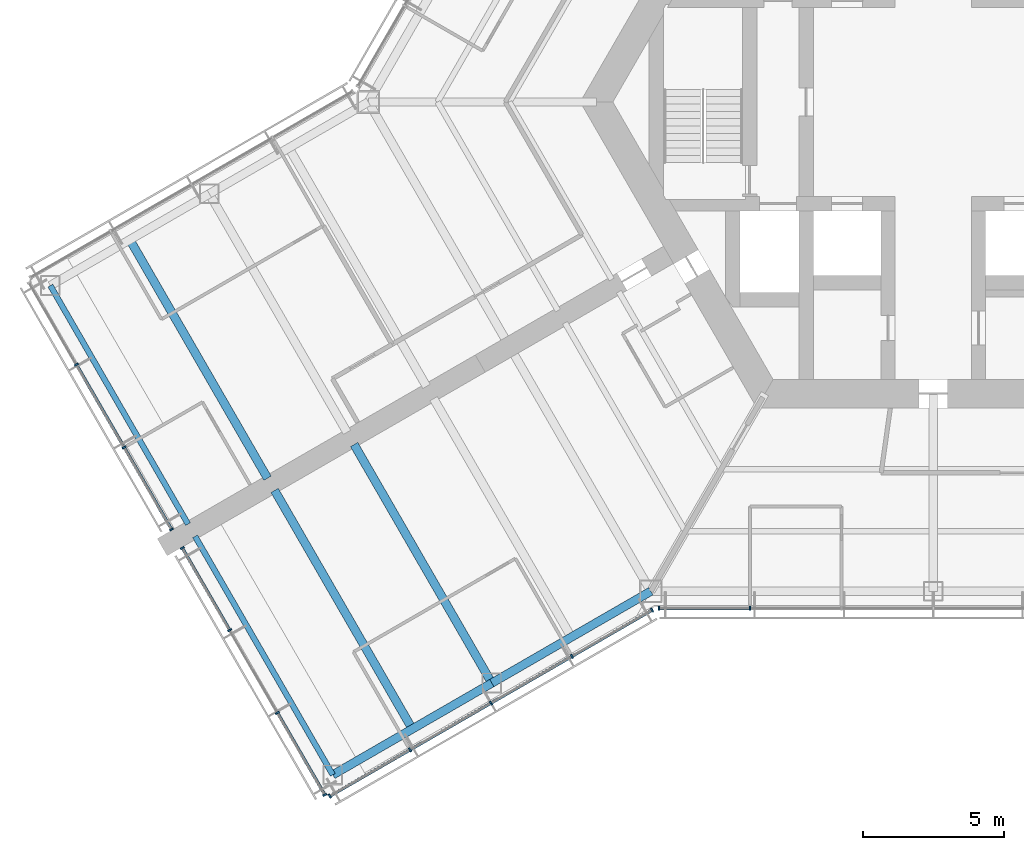
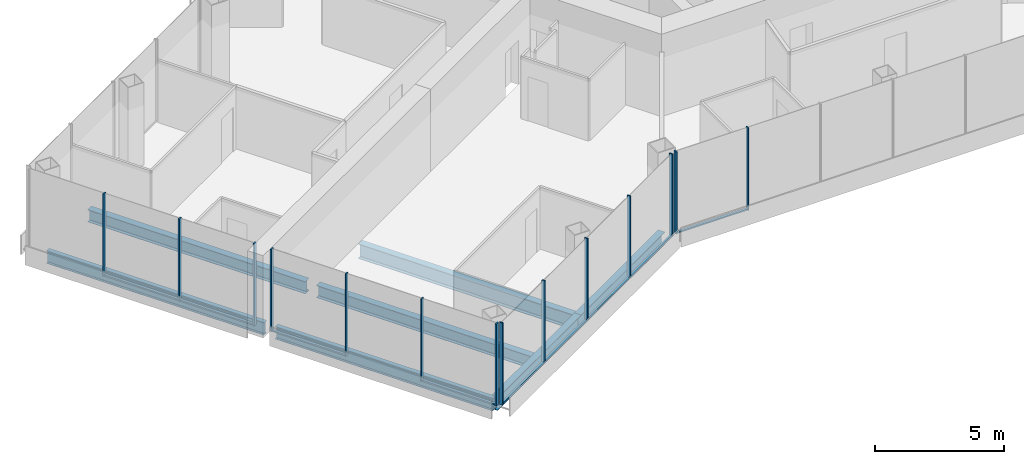
# One storey, part 2 of 18: 23 members, 7 beams, 4 elements without a shape of their own.
"""IFC4 building model written with IfcOpenShell, lengths in metres."""

import ifcopenshell
import ifcopenshell.guid

model = None  # the IFC model being written
_history = None  # IfcOwnerHistory: only IFC2X3 demands one
_inside = {}  # id of a spatial element -> (the spatial element, [elements in it])
_under = {}  # id of a project, library or spatial element -> (it, [spatial elements below it])
_declared = {}  # id of a project -> (the project, [libraries it declares])
_typed = {}  # id of a type object -> (the type object, [elements of that type])
_made_of = {}  # id of a material, layer set ... -> (it, [elements and type objects made of it])


def new_model(schema):
    """Start an empty IFC model of exactly this schema.

    Asked for "IFC4X3", IfcOpenShell would pick the latest addendum, in which some entities
    have other attributes; the version numbers below select the first issue.
    IFC2X3 requires an IfcOwnerHistory on every rooted entity: one is made here for all.
    """
    global model, _history
    if schema == "IFC4X3":
        model = ifcopenshell.file(schema_version=(4, 3, 0, 0))
    else:
        model = ifcopenshell.file(schema=schema)
    _inside.clear()
    _under.clear()
    _declared.clear()
    _typed.clear()
    _made_of.clear()
    _history = None
    if model.schema == "IFC2X3":
        org = make("IfcOrganization", Name="unknown")
        user = make(
            "IfcPersonAndOrganization",
            ThePerson=make("IfcPerson", FamilyName="unknown"),
            TheOrganization=org,
        )
        app = make(
            "IfcApplication",
            ApplicationDeveloper=org,
            Version="unknown",
            ApplicationFullName="unknown",
            ApplicationIdentifier="unknown",
        )
        _history = make(
            "IfcOwnerHistory",
            OwningUser=user,
            OwningApplication=app,
            ChangeAction="ADDED",
            CreationDate=0,
        )
    return model


def make(cls, **values):
    """One entity of the class cls with the attributes given. An attribute that is None is left unset."""
    return model.create_entity(
        cls, **{name: value for name, value in values.items() if value is not None}
    )


def rooted(cls, **values):
    """An entity with a GlobalId (a new one), such as an element, a storey or a relation."""
    return make(cls, GlobalId=ifcopenshell.guid.new(), OwnerHistory=_history, **values)


def si_unit(unit_type, name, prefix=None):
    """IfcSIUnit, for example si_unit("LENGTHUNIT", "METRE", prefix="MILLI")."""
    return make("IfcSIUnit", UnitType=unit_type, Prefix=prefix, Name=name)


def assignment(units):
    """IfcUnitAssignment: the units of a project."""
    return None if units is None else make("IfcUnitAssignment", Units=units)


def point(xyz):
    """IfcCartesianPoint."""
    return None if xyz is None else make("IfcCartesianPoint", Coordinates=xyz)


def direction(xyz):
    """IfcDirection."""
    return None if xyz is None else make("IfcDirection", DirectionRatios=xyz)


def frame(location, z_axis=None, x_axis=None):
    """IfcAxis2Placement3D, a coordinate frame: its origin and axes. An axis left out is left unset."""
    return make(
        "IfcAxis2Placement3D",
        Location=point(location),
        Axis=direction(z_axis),
        RefDirection=direction(x_axis),
    )


def frame_2d(location, x_axis=None):
    """IfcAxis2Placement2D, a coordinate frame in the plane: its origin and x axis."""
    return make(
        "IfcAxis2Placement2D", Location=point(location), RefDirection=direction(x_axis)
    )


def origin():
    """The frame at (0, 0, 0) with its axes left unset."""
    return frame((0.0, 0.0, 0.0))


def origin_2d():
    """The frame at (0, 0) in the plane with its x axis left unset."""
    return frame_2d((0.0, 0.0))


def place(relative_to, where):
    """IfcLocalPlacement: puts the frame where relative to a parent placement (None: the world)."""
    return make(
        "IfcLocalPlacement", PlacementRelTo=relative_to, RelativePlacement=where
    )


def context(
    kind, dimensions, precision=None, world=None, true_north=None, identifier=None
):
    """IfcGeometricRepresentationContext, for example the 3D "Model" context."""
    return make(
        "IfcGeometricRepresentationContext",
        ContextIdentifier=identifier,
        ContextType=kind,
        CoordinateSpaceDimension=dimensions,
        Precision=precision,
        WorldCoordinateSystem=world,
        TrueNorth=true_north,
    )


def subcontext(parent, identifier, kind, view, scale=None):
    """IfcGeometricRepresentationSubContext, for example "Body" below "Model"."""
    return make(
        "IfcGeometricRepresentationSubContext",
        ContextIdentifier=identifier,
        ContextType=kind,
        ParentContext=parent,
        TargetScale=scale,
        TargetView=view,
    )


def project(units=None, contexts=None):
    """IfcProject with its units and contexts."""
    return rooted(
        "IfcProject",
        Name="project",
        RepresentationContexts=contexts,
        UnitsInContext=assignment(units),
    )


def spatial(cls, under=None, at=None, **own):
    """A site, building, storey or space (cls), placed at a placement, below another one or the project."""
    s = rooted(cls, ObjectPlacement=at, **own)
    if under is not None:
        _under.setdefault(under.id(), (under, []))[1].append(s)
    return s


def profile(cls, at=None, kind="AREA", **sizes):
    """A parametric profile (cls). Its sizes go by their IFC names, for example OverallWidth=200.0."""
    return make(cls, ProfileType=kind, Position=at, **sizes)


def rectangle(**sizes):
    """IfcRectangleProfileDef."""
    return profile("IfcRectangleProfileDef", **sizes)


def i_section(**sizes):
    """IfcIShapeProfileDef."""
    return profile("IfcIShapeProfileDef", **sizes)


def extrude(swept, where, along, depth):
    """IfcExtrudedAreaSolid: the profile swept, set in the frame where, extruded along a direction by depth."""
    return make(
        "IfcExtrudedAreaSolid",
        SweptArea=swept,
        Position=where,
        ExtrudedDirection=direction(along),
        Depth=depth,
    )


def shape(context_of_items, identifier, shape_type, items):
    """IfcShapeRepresentation: the items that make up one representation, for example the "Body"."""
    return make(
        "IfcShapeRepresentation",
        ContextOfItems=context_of_items,
        RepresentationIdentifier=identifier,
        RepresentationType=shape_type,
        Items=items,
    )


def material(Name=None, Category=None):
    """IfcMaterial."""
    return make("IfcMaterial", Name=Name, Category=Category)


def material_profile(
    of_material, cross_section, Name=None, Category=None, Priority=None
):
    """IfcMaterialProfile: a cross section and its material."""
    return make(
        "IfcMaterialProfile",
        Name=Name,
        Material=of_material,
        Profile=cross_section,
        Priority=Priority,
        Category=Category,
    )


def profile_set(profiles, Name=None, composite=None):
    """IfcMaterialProfileSet."""
    return make(
        "IfcMaterialProfileSet",
        Name=Name,
        MaterialProfiles=profiles,
        CompositeProfile=composite,
    )


def made_of(thing, what):
    """Note that an element or type object is made of a material, layer set ...; save() writes the relation."""
    if what is not None:
        _made_of.setdefault(what.id(), (what, []))[1].append(thing)
    return thing


def type_object(cls, material=None, **own):
    """A type object (cls), such as IfcWallType, which elements share."""
    return made_of(rooted(cls, **own), material)


def element(
    cls,
    number,
    at=None,
    inside=None,
    cuts=None,
    type_object=None,
    material=None,
    context=None,
    identifier="Body",
    shape_type=None,
    held_by="IfcProductDefinitionShape",
    body=None,
    shapes=None,
    **own,
):
    """One element of the class cls, such as IfcWall. Its Tag is "e" and its number.

    at: its placement. inside: the storey or other place that contains it. cuts: it is an
    opening in that element (IfcRelVoidsElement). A single representation is given by context,
    identifier, shape_type and body (its items); several are given by shapes. held_by: the class
    of the entity that holds the representations. save() writes the other relations.
    """
    e = rooted(cls, Tag="e%d" % number, ObjectPlacement=at, **own)
    if body is not None:
        shapes = [shape(context, identifier, shape_type, body)]
    if shapes is not None:
        e.Representation = make(held_by, Representations=shapes)
    if inside is not None:
        _inside.setdefault(inside.id(), (inside, []))[1].append(e)
    if cuts is not None:
        rooted(
            "IfcRelVoidsElement", RelatingBuildingElement=cuts, RelatedOpeningElement=e
        )
    if type_object is not None:
        _typed.setdefault(type_object.id(), (type_object, []))[1].append(e)
    return made_of(e, material)


def aggregate(whole, parts):
    """IfcRelAggregates: a whole, such as a stair, and the parts it consists of."""
    return rooted("IfcRelAggregates", RelatingObject=whole, RelatedObjects=parts)


def save(model, path):
    """Write the relations noted so far, then the file.

    IfcRelAggregates (storeys below a building ...), IfcRelContainedInSpatialStructure (elements
    in a storey), IfcRelDefinesByType, IfcRelAssociatesMaterial and IfcRelDeclares: one each for
    every whole, place, type object, material and project.
    """
    for whole, parts in _under.values():
        aggregate(whole, parts)
    for where, things in _inside.values():
        rooted(
            "IfcRelContainedInSpatialStructure",
            RelatedElements=things,
            RelatingStructure=where,
        )
    for kind, things in _typed.values():
        rooted("IfcRelDefinesByType", RelatedObjects=things, RelatingType=kind)
    for what, things in _made_of.values():
        rooted("IfcRelAssociatesMaterial", RelatedObjects=things, RelatingMaterial=what)
    for by, libraries in _declared.values():
        rooted("IfcRelDeclares", RelatingContext=by, RelatedDefinitions=libraries)
    model.write(path)


model = new_model("IFC4")

# Units and contexts
model_context = context("Model", 3, precision=1e-05, world=origin(), true_north=direction((0.0, 1.0)))
body_context = subcontext(model_context, "Body", "Model", "MODEL_VIEW")
ifc_project = project(units=[si_unit("LENGTHUNIT", "METRE"), si_unit("AREAUNIT", "SQUARE_METRE"), si_unit("VOLUMEUNIT", "CUBIC_METRE"), si_unit("PLANEANGLEUNIT", "RADIAN"), si_unit("MASSUNIT", "GRAM", prefix="KILO")], contexts=[model_context])

# Site, building, storey
site_placement = place(None, origin())
site = spatial("IfcSite", under=ifc_project, at=site_placement, CompositionType="ELEMENT")
building_placement = place(site_placement, origin())
building = spatial("IfcBuilding", under=site, at=building_placement, Name="Kasaneha Research Tower", CompositionType="ELEMENT")
storey_placement = place(building_placement, frame((0.0, 0.0, 137.0)))
storey = spatial("IfcBuildingStorey", under=building, at=storey_placement, Name="L34", CompositionType="ELEMENT", Elevation=137.0)

# Beams
ifc_material_1 = material(Name="Steel SN490B", Category="steel")
ifc_material_profile_1 = material_profile(ifc_material_1, i_section(OverallWidth=0.300048828125, OverallDepth=0.58203125, WebThickness=0.011962890625, FlangeThickness=0.01708984375, FilletRadius=0.012939453125, at=origin_2d()), Name="H-582x300x12x17")
ifc_profile_set_1 = profile_set([ifc_material_profile_1], Name="Steel SN490B")
beam_type_1 = type_object("IfcBeamType", Name="B2-3 secondary beam H-582x300x12x17", PredefinedType="JOIST", material=ifc_profile_set_1)
for number, where, z_axis, x_axis, name in (
    (1, (-28.44384765625, -4.875, -0.44091796875), (0.499995560238, -0.866027967067, 0.0), (0.866027967067, 0.499995560238, 0.0), "Secondary beam WBBP2 L34"),
    (2, (-18.44384765625, -22.195556640625, -0.44091796875), (-0.499995560238, 0.866027967067, 0.0), (-0.866027967067, -0.499995560238, 0.0), "Secondary beam WBBN2 L34"),
):
    element("IfcBeam", number, at=place(storey_placement, frame(where, z_axis=z_axis, x_axis=x_axis)), inside=storey, type_object=beam_type_1, Name=name, PredefinedType="JOIST", context=body_context, shape_type="SweptSolid", body=[
        extrude(i_section(OverallWidth=0.300048828125, OverallDepth=0.58203125, WebThickness=0.011962890625, FlangeThickness=0.01708984375, FilletRadius=0.012939453125, at=origin_2d()), origin(), (0.0, 0.0, 1.0), 9.75),
    ])

# Curtain wall, members
ifc_material_2 = material(Name="Glass and aluminium", Category="aluminium")
curtain_wall_type = type_object("IfcCurtainWallType", Name="Mid-rise office curtain wall", PredefinedType="USERDEFINED", material=ifc_material_2)
curtain_wall_1_placement = place(storey_placement, origin())
curtain_wall_1 = element("IfcCurtainWall", 3, at=curtain_wall_1_placement, inside=storey, type_object=curtain_wall_type, Name="CW-O2 L34 run 01a", ObjectType="UNITISED CURTAIN WALL", PredefinedType="USERDEFINED")
ifc_material_3 = material(Name="Aluminium 6063-T6", Category="aluminium")
ifc_material_profile_2 = material_profile(ifc_material_3, rectangle(XDim=0.06005859375, YDim=0.14990234375, at=origin_2d()), Name="CW-O2 mullion 60x150")
ifc_profile_set_2 = profile_set([ifc_material_profile_2], Name="Aluminium 6063-T6")
member_type_1 = type_object("IfcMemberType", Name="CW-O2 mullion", PredefinedType="MULLION", material=ifc_profile_set_2)
member_1_placement = place(storey_placement, frame((-9.709228515625, -17.92041015625, 0.0), z_axis=(0.0, 0.0, 1.0), x_axis=(1.0, 0.0, 0.0)))
member_1 = element("IfcMember", 4, at=member_1_placement, type_object=member_type_1, Name="CW-O2 mullion 1", PredefinedType="MULLION", context=body_context, shape_type="SweptSolid", body=[
    extrude(rectangle(XDim=0.06005859375, YDim=0.14990234375, at=origin_2d()), origin(), (0.0, 0.0, 1.0), 3.89990234375),
])
member_2_placement = place(storey_placement, frame((-6.492919921875, -17.92041015625, 0.0), z_axis=(0.0, 0.0, 1.0), x_axis=(1.0, 0.0, 0.0)))
member_2 = element("IfcMember", 5, at=member_2_placement, type_object=member_type_1, Name="CW-O2 mullion 2", PredefinedType="MULLION", context=body_context, shape_type="SweptSolid", body=[
    extrude(rectangle(XDim=0.06005859375, YDim=0.14990234375, at=origin_2d()), origin(), (0.0, 0.0, 1.0), 3.89990234375),
])

curtain_wall_2_placement = place(storey_placement, origin())
curtain_wall_2 = element("IfcCurtainWall", 6, at=curtain_wall_2_placement, inside=storey, type_object=curtain_wall_type, Name="CW-O2 L34 run 10a", ObjectType="UNITISED CURTAIN WALL", PredefinedType="USERDEFINED")
member_3_placement = place(storey_placement, frame((-30.336181640625, -9.297119140625, 0.0), z_axis=(0.0, 0.0, 1.0), x_axis=(0.500000011442, -0.866025397178, 0.0)))
member_3 = element("IfcMember", 7, at=member_3_placement, type_object=member_type_1, Name="CW-O2 mullion 2", PredefinedType="MULLION", context=body_context, shape_type="SweptSolid", body=[
    extrude(rectangle(XDim=0.06005859375, YDim=0.14990234375, at=origin_2d()), origin(), (0.0, 0.0, 1.0), 3.89990234375),
])
member_4_placement = place(storey_placement, frame((-28.64453125, -12.22705078125, 0.0), z_axis=(0.0, 0.0, 1.0), x_axis=(0.500000011442, -0.866025397178, 0.0)))
member_4 = element("IfcMember", 8, at=member_4_placement, type_object=member_type_1, Name="CW-O2 mullion 3", PredefinedType="MULLION", context=body_context, shape_type="SweptSolid", body=[
    extrude(rectangle(XDim=0.06005859375, YDim=0.14990234375, at=origin_2d()), origin(), (0.0, 0.0, 1.0), 3.89990234375),
])
member_5_placement = place(storey_placement, frame((-26.968017578125, -15.131103515625, 0.0), z_axis=(0.0, 0.0, 1.0), x_axis=(0.500000011442, -0.866025397178, 0.0)))
member_5 = element("IfcMember", 9, at=member_5_placement, type_object=member_type_1, Name="CW-O2 mullion 4", PredefinedType="MULLION", context=body_context, shape_type="SweptSolid", body=[
    extrude(rectangle(XDim=0.06005859375, YDim=0.14990234375, at=origin_2d()), origin(), (0.0, 0.0, 1.0), 3.89990234375),
])

curtain_wall_3_placement = place(storey_placement, origin())
curtain_wall_3 = element("IfcCurtainWall", 10, at=curtain_wall_3_placement, inside=storey, type_object=curtain_wall_type, Name="CW-O2 L34 run 11a", ObjectType="UNITISED CURTAIN WALL", PredefinedType="USERDEFINED")
member_6_placement = place(storey_placement, frame((-26.587890625, -15.789306640625, 0.0), z_axis=(0.0, 0.0, 1.0), x_axis=(0.500000011442, -0.866025397178, 0.0)))
member_6 = element("IfcMember", 11, at=member_6_placement, type_object=member_type_1, Name="CW-O2 mullion 1", PredefinedType="MULLION", context=body_context, shape_type="SweptSolid", body=[
    extrude(rectangle(XDim=0.06005859375, YDim=0.14990234375, at=origin_2d()), origin(), (0.0, 0.0, 1.0), 3.89990234375),
])
member_7_placement = place(storey_placement, frame((-24.911376953125, -18.693359375, 0.0), z_axis=(0.0, 0.0, 1.0), x_axis=(0.500000011442, -0.866025397178, 0.0)))
member_7 = element("IfcMember", 12, at=member_7_placement, type_object=member_type_1, Name="CW-O2 mullion 2", PredefinedType="MULLION", context=body_context, shape_type="SweptSolid", body=[
    extrude(rectangle(XDim=0.06005859375, YDim=0.14990234375, at=origin_2d()), origin(), (0.0, 0.0, 1.0), 3.89990234375),
])
member_8_placement = place(storey_placement, frame((-23.2197265625, -21.62353515625, 0.0), z_axis=(0.0, 0.0, 1.0), x_axis=(0.500000011442, -0.866025397178, 0.0)))
member_8 = element("IfcMember", 13, at=member_8_placement, type_object=member_type_1, Name="CW-O2 mullion 3", PredefinedType="MULLION", context=body_context, shape_type="SweptSolid", body=[
    extrude(rectangle(XDim=0.06005859375, YDim=0.14990234375, at=origin_2d()), origin(), (0.0, 0.0, 1.0), 3.89990234375),
])
member_9_placement = place(storey_placement, frame((-21.54296875, -24.527587890625, 0.0), z_axis=(0.0, 0.0, 1.0), x_axis=(0.500000011442, -0.866025397178, 0.0)))
member_9 = element("IfcMember", 14, at=member_9_placement, type_object=member_type_1, Name="CW-O2 mullion 4", PredefinedType="MULLION", context=body_context, shape_type="SweptSolid", body=[
    extrude(rectangle(XDim=0.06005859375, YDim=0.14990234375, at=origin_2d()), origin(), (0.0, 0.0, 1.0), 3.89990234375),
])

curtain_wall_4_placement = place(storey_placement, origin())
curtain_wall_4 = element("IfcCurtainWall", 15, at=curtain_wall_4_placement, inside=storey, type_object=curtain_wall_type, Name="CW-O2 L34 run 12a", ObjectType="UNITISED CURTAIN WALL", PredefinedType="USERDEFINED")
member_10_placement = place(storey_placement, frame((-21.365478515625, -24.5751953125, 0.0), z_axis=(0.0, 0.0, 1.0), x_axis=(0.866025411464, 0.499999986699, 0.0)))
member_10 = element("IfcMember", 16, at=member_10_placement, type_object=member_type_1, Name="CW-O2 mullion 1", PredefinedType="MULLION", context=body_context, shape_type="SweptSolid", body=[
    extrude(rectangle(XDim=0.06005859375, YDim=0.14990234375, at=origin_2d()), origin(), (0.0, 0.0, 1.0), 3.89990234375),
])
member_11_placement = place(storey_placement, frame((-18.52490234375, -22.935302734375, 0.0), z_axis=(0.0, 0.0, 1.0), x_axis=(0.866025411464, 0.499999986699, 0.0)))
member_11 = element("IfcMember", 17, at=member_11_placement, type_object=member_type_1, Name="CW-O2 mullion 2", PredefinedType="MULLION", context=body_context, shape_type="SweptSolid", body=[
    extrude(rectangle(XDim=0.06005859375, YDim=0.14990234375, at=origin_2d()), origin(), (0.0, 0.0, 1.0), 3.89990234375),
])
member_12_placement = place(storey_placement, frame((-15.65869140625, -21.2802734375, 0.0), z_axis=(0.0, 0.0, 1.0), x_axis=(0.866025411464, 0.499999986699, 0.0)))
member_12 = element("IfcMember", 18, at=member_12_placement, type_object=member_type_1, Name="CW-O2 mullion 3", PredefinedType="MULLION", context=body_context, shape_type="SweptSolid", body=[
    extrude(rectangle(XDim=0.06005859375, YDim=0.14990234375, at=origin_2d()), origin(), (0.0, 0.0, 1.0), 3.89990234375),
])
member_13_placement = place(storey_placement, frame((-12.792236328125, -19.62548828125, 0.0), z_axis=(0.0, 0.0, 1.0), x_axis=(0.866025411464, 0.499999986699, 0.0)))
member_13 = element("IfcMember", 19, at=member_13_placement, type_object=member_type_1, Name="CW-O2 mullion 4", PredefinedType="MULLION", context=body_context, shape_type="SweptSolid", body=[
    extrude(rectangle(XDim=0.06005859375, YDim=0.14990234375, at=origin_2d()), origin(), (0.0, 0.0, 1.0), 3.89990234375),
])
member_14_placement = place(storey_placement, frame((-9.951904296875, -17.985595703125, 0.0), z_axis=(0.0, 0.0, 1.0), x_axis=(0.866025411464, 0.499999986699, 0.0)))
member_14 = element("IfcMember", 20, at=member_14_placement, type_object=member_type_1, Name="CW-O2 mullion 5", PredefinedType="MULLION", context=body_context, shape_type="SweptSolid", body=[
    extrude(rectangle(XDim=0.06005859375, YDim=0.14990234375, at=origin_2d()), origin(), (0.0, 0.0, 1.0), 3.89990234375),
])

# Member
ifc_material_4 = material(Name="Aluminium 6063-T6", Category="aluminium")
ifc_material_profile_3 = material_profile(ifc_material_4, rectangle(XDim=0.110107421875, YDim=0.06005859375, at=origin_2d()), Name="CW-O2 transom 110x60")
ifc_profile_set_3 = profile_set([ifc_material_profile_3], Name="Aluminium 6063-T6")
member_type_2 = type_object("IfcMemberType", Name="CW-O2 transom", PredefinedType="USERDEFINED", material=ifc_profile_set_3)
member_15_placement = place(storey_placement, frame((-9.67919921875, -17.92041015625, 0.030029296875), z_axis=(1.0, 0.0, 0.0), x_axis=(0.0, 1.0, 0.0)))
member_15 = element("IfcMember", 21, at=member_15_placement, type_object=member_type_2, Name="CW-O2 transom 1", ObjectType="TRANSOM", PredefinedType="USERDEFINED", context=body_context, shape_type="SweptSolid", body=[
    extrude(rectangle(XDim=0.110107421875, YDim=0.06005859375, at=origin_2d()), origin(), (0.0, 0.0, 1.0), 3.156494140625),
])

aggregate(curtain_wall_1, [member_1, member_2, member_15])

member_16_placement = place(storey_placement, frame((-30.3212890625, -9.322998046875, 0.030029296875), z_axis=(0.499978935311, -0.866037565146, 0.0), x_axis=(0.866037565146, 0.499978935311, 0.0)))
member_16 = element("IfcMember", 22, at=member_16_placement, type_object=member_type_2, Name="CW-O2 transom 2", ObjectType="TRANSOM", PredefinedType="USERDEFINED", context=body_context, shape_type="SweptSolid", body=[
    extrude(rectangle(XDim=0.110107421875, YDim=0.06005859375, at=origin_2d()), origin(), (0.0, 0.0, 1.0), 3.323486328125),
])

member_17_placement = place(storey_placement, frame((-28.629638671875, -12.253173828125, 0.030029296875), z_axis=(0.500021914551, -0.866012751043, 0.0), x_axis=(0.866012751043, 0.500021914551, 0.0)))
member_17 = element("IfcMember", 23, at=member_17_placement, type_object=member_type_2, Name="CW-O2 transom 3", ObjectType="TRANSOM", PredefinedType="USERDEFINED", context=body_context, shape_type="SweptSolid", body=[
    extrude(rectangle(XDim=0.110107421875, YDim=0.06005859375, at=origin_2d()), origin(), (0.0, 0.0, 1.0), 3.293212890625),
])

aggregate(curtain_wall_2, [member_3, member_4, member_5, member_16, member_17])

member_18_placement = place(storey_placement, frame((-26.572998046875, -15.8154296875, 0.030029296875), z_axis=(0.500021914551, -0.866012751043, 0.0), x_axis=(0.866012751043, 0.500021914551, 0.0)))
member_18 = element("IfcMember", 24, at=member_18_placement, type_object=member_type_2, Name="CW-O2 transom 1", ObjectType="TRANSOM", PredefinedType="USERDEFINED", context=body_context, shape_type="SweptSolid", body=[
    extrude(rectangle(XDim=0.110107421875, YDim=0.06005859375, at=origin_2d()), origin(), (0.0, 0.0, 1.0), 3.293212890625),
])

member_19_placement = place(storey_placement, frame((-23.20458984375, -21.6494140625, 0.030029296875), z_axis=(0.500021914551, -0.866012751043, 0.0), x_axis=(0.866012751043, 0.500021914551, 0.0)))
member_19 = element("IfcMember", 25, at=member_19_placement, type_object=member_type_2, Name="CW-O2 transom 3", ObjectType="TRANSOM", PredefinedType="USERDEFINED", context=body_context, shape_type="SweptSolid", body=[
    extrude(rectangle(XDim=0.110107421875, YDim=0.06005859375, at=origin_2d()), origin(), (0.0, 0.0, 1.0), 3.293212890625),
])

aggregate(curtain_wall_3, [member_6, member_7, member_8, member_9, member_18, member_19])

member_20_placement = place(storey_placement, frame((-21.33935546875, -24.56005859375, 0.030029296875), z_axis=(0.866022692473, 0.500004696101, 0.0), x_axis=(-0.500004696101, 0.866022692473, 0.0)))
member_20 = element("IfcMember", 26, at=member_20_placement, type_object=member_type_2, Name="CW-O2 transom 1", ObjectType="TRANSOM", PredefinedType="USERDEFINED", context=body_context, shape_type="SweptSolid", body=[
    extrude(rectangle(XDim=0.110107421875, YDim=0.06005859375, at=origin_2d()), origin(), (0.0, 0.0, 1.0), 3.2197265625),
])

member_21_placement = place(storey_placement, frame((-18.4990234375, -22.920166015625, 0.030029296875), z_axis=(0.86604797581, 0.499960902066, 0.0), x_axis=(-0.499960902066, 0.86604797581, 0.0)))
member_21 = element("IfcMember", 27, at=member_21_placement, type_object=member_type_2, Name="CW-O2 transom 2", ObjectType="TRANSOM", PredefinedType="USERDEFINED", context=body_context, shape_type="SweptSolid", body=[
    extrude(rectangle(XDim=0.110107421875, YDim=0.06005859375, at=origin_2d()), origin(), (0.0, 0.0, 1.0), 3.249755859375),
])

member_22_placement = place(storey_placement, frame((-15.632568359375, -21.265380859375, 0.030029296875), z_axis=(0.866015446554, 0.500017246033, 0.0), x_axis=(-0.500017246033, 0.866015446554, 0.0)))
member_22 = element("IfcMember", 28, at=member_22_placement, type_object=member_type_2, Name="CW-O2 transom 3", ObjectType="TRANSOM", PredefinedType="USERDEFINED", context=body_context, shape_type="SweptSolid", body=[
    extrude(rectangle(XDim=0.110107421875, YDim=0.06005859375, at=origin_2d()), origin(), (0.0, 0.0, 1.0), 3.25),
])

member_23_placement = place(storey_placement, frame((-12.76611328125, -19.6103515625, 0.030029296875), z_axis=(0.866022692473, 0.500004696101, 0.0), x_axis=(-0.500004696101, 0.866022692473, 0.0)))
member_23 = element("IfcMember", 29, at=member_23_placement, type_object=member_type_2, Name="CW-O2 transom 4", ObjectType="TRANSOM", PredefinedType="USERDEFINED", context=body_context, shape_type="SweptSolid", body=[
    extrude(rectangle(XDim=0.110107421875, YDim=0.06005859375, at=origin_2d()), origin(), (0.0, 0.0, 1.0), 3.2197265625),
])

aggregate(curtain_wall_4, [member_10, member_11, member_12, member_13, member_14, member_20, member_21, member_22, member_23])

# Beams
ifc_material_5 = material(Name="Steel SN490B", Category="steel")
ifc_material_profile_4 = material_profile(ifc_material_5, i_section(OverallWidth=0.300048828125, OverallDepth=0.699951171875, WebThickness=0.012939453125, FlangeThickness=0.02392578125, FilletRadius=0.01806640625, at=origin_2d()), Name="H-700x300x13x24")
ifc_profile_set_4 = profile_set([ifc_material_profile_4], Name="Steel SN490B")
beam_type_2 = type_object("IfcBeamType", Name="G4-3 wing girder H-700x300x13x24", PredefinedType="BEAM", material=ifc_profile_set_4)
beam_placement = place(storey_placement, frame((-15.629150390625, -20.570556640625, -0.5), z_axis=(-0.499995560238, 0.866027967067, 0.0), x_axis=(-0.866027967067, -0.499995560238, 0.0)))
element("IfcBeam", 30, at=beam_placement, inside=storey, type_object=beam_type_2, Name="Wing girder WGBN L34", PredefinedType="BEAM", context=body_context, shape_type="SweptSolid", body=[
    extrude(i_section(OverallWidth=0.300048828125, OverallDepth=0.699951171875, WebThickness=0.012939453125, FlangeThickness=0.02392578125, FilletRadius=0.01806640625, at=origin_2d()), origin(), (0.0, 0.0, 1.0), 9.75),
])
ifc_material_6 = material(Name="Steel SN490B", Category="steel")
ifc_material_profile_5 = material_profile(ifc_material_6, i_section(OverallWidth=0.300048828125, OverallDepth=0.58203125, WebThickness=0.011962890625, FlangeThickness=0.01708984375, FilletRadius=0.012939453125, at=origin_2d()), Name="H-582x300x12x17")
ifc_profile_set_5 = profile_set([ifc_material_profile_5], Name="Steel SN490B")
beam_type_3 = type_object("IfcBeamType", Name="SB2-3 spandrel beam H-582x300x12x17", PredefinedType="SPANDREL", material=ifc_profile_set_5)
for number, where, z_axis, x_axis, name in (
    (31, (-10.0, -17.320556640625, -0.44091796875), (-0.866024837091, -0.50000098154, 0.0), (0.50000098154, -0.866024837091, 0.0), "Spandrel beam WSBN1 L34"),
    (32, (-15.629150390625, -20.570556640625, -0.44091796875), (-0.866024837091, -0.50000098154, 0.0), (0.50000098154, -0.866024837091, 0.0), "Spandrel beam WSBN2 L34"),
):
    element("IfcBeam", number, at=place(storey_placement, frame(where, z_axis=z_axis, x_axis=x_axis)), inside=storey, type_object=beam_type_3, Name=name, PredefinedType="SPANDREL", context=body_context, shape_type="SweptSolid", body=[
        extrude(i_section(OverallWidth=0.300048828125, OverallDepth=0.58203125, WebThickness=0.011962890625, FlangeThickness=0.01708984375, FilletRadius=0.012939453125, at=origin_2d()), origin(), (0.0, 0.0, 1.0), 6.5),
    ])
ifc_material_7 = material(Name="Steel SN490B", Category="steel")
ifc_material_profile_6 = material_profile(ifc_material_7, i_section(OverallWidth=0.199951171875, OverallDepth=0.60009765625, WebThickness=0.010986328125, FlangeThickness=0.01708984375, FilletRadius=0.012939453125, at=origin_2d()), Name="H-600x200x11x17")
ifc_profile_set_6 = profile_set([ifc_material_profile_6], Name="Steel SN490B")
beam_type_4 = type_object("IfcBeamType", Name="SB3-3 spandrel beam H-600x200x11x17", PredefinedType="SPANDREL", material=ifc_profile_set_6)
for number, where, z_axis, x_axis, name in (
    (33, (-31.25830078125, -6.5, -0.449951171875), (0.499995560238, -0.866027967067, 0.0), (0.866027967067, 0.499995560238, 0.0), "Spandrel beam WTBP L34"),
    (34, (-21.25830078125, -23.820556640625, -0.449951171875), (-0.499995560238, 0.866027967067, 0.0), (-0.866027967067, -0.499995560238, 0.0), "Spandrel beam WTBN L34"),
):
    element("IfcBeam", number, at=place(storey_placement, frame(where, z_axis=z_axis, x_axis=x_axis)), inside=storey, type_object=beam_type_4, Name=name, PredefinedType="SPANDREL", context=body_context, shape_type="SweptSolid", body=[
        extrude(i_section(OverallWidth=0.199951171875, OverallDepth=0.60009765625, WebThickness=0.010986328125, FlangeThickness=0.01708984375, FilletRadius=0.012939453125, at=origin_2d()), origin(), (0.0, 0.0, 1.0), 9.75),
    ])

save(model, "model.ifc")
